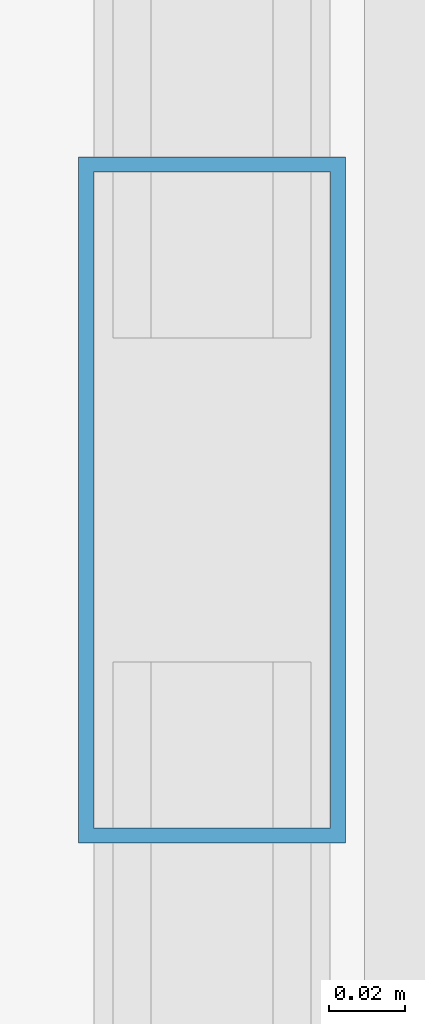
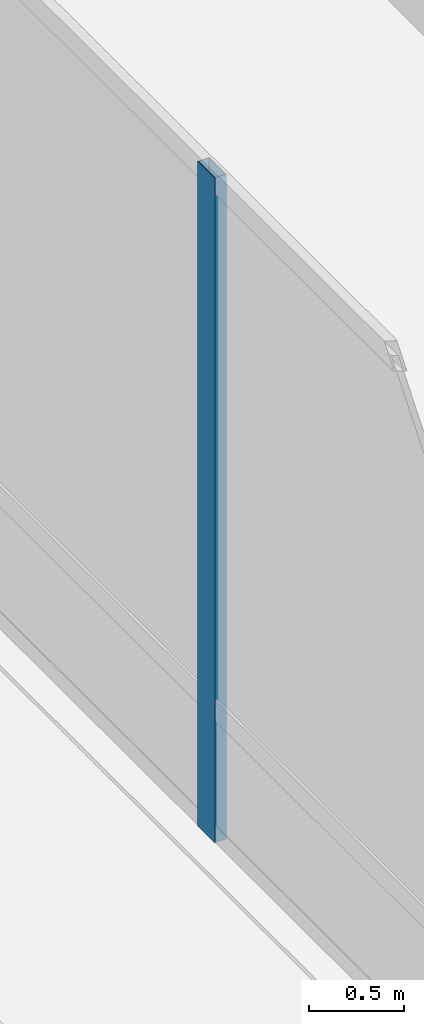
# One storey, part 7 of 28: 1 member, 1 element without a shape of its own.
"""IFC4 building model written with IfcOpenShell, lengths in metres."""

from ifc_helpers import new_model, si_unit, direction, frame, origin, origin_2d, place, context, subcontext, project, spatial, hollow_rectangle, extrude, material, material_profile, profile_set, type_object, element, aggregate, save


model = new_model("IFC4")

# Units and contexts
model_context = context("Model", 3, precision=1e-05, world=origin(), true_north=direction((0.0, 1.0)))
body_context = subcontext(model_context, "Body", "Model", "MODEL_VIEW")
ifc_project = project(units=[si_unit("LENGTHUNIT", "METRE"), si_unit("AREAUNIT", "SQUARE_METRE"), si_unit("VOLUMEUNIT", "CUBIC_METRE"), si_unit("PLANEANGLEUNIT", "RADIAN"), si_unit("MASSUNIT", "GRAM", prefix="KILO")], contexts=[model_context])

# Site, building, storey
site_placement = place(None, origin())
site = spatial("IfcSite", under=ifc_project, at=site_placement, CompositionType="ELEMENT")
building_placement = place(site_placement, origin())
building = spatial("IfcBuilding", under=site, at=building_placement, Name="Punatoya Terracotta Tower", CompositionType="ELEMENT")
storey_placement = place(building_placement, frame((0.0, 0.0, 352.800048828125)))
storey = spatial("IfcBuildingStorey", under=building, at=storey_placement, Name="L83", CompositionType="ELEMENT", Elevation=352.800048828125)

# Curtain wall, member
ifc_material_1 = material(Name="Aluminium 6063-T6 + Double Low-E Glass", Category="aluminium")
curtain_wall_type = type_object("IfcCurtainWallType", Name="CW-CRN", PredefinedType="NOTDEFINED", material=ifc_material_1)
curtain_wall_placement = place(storey_placement, origin())
curtain_wall = element("IfcCurtainWall", 1, at=curtain_wall_placement, inside=storey, type_object=curtain_wall_type, Name="L83 Curtain Wall CW-L83-W13-1", PredefinedType="NOTDEFINED")
ifc_material_2 = material(Name="Aluminium 6063-T6", Category="aluminium")
ifc_material_profile = material_profile(ifc_material_2, hollow_rectangle(XDim=0.070068359375, YDim=0.179931640625, WallThickness=0.00390625, at=origin_2d()))
ifc_profile_set = profile_set([ifc_material_profile], Name="Aluminium 6063-T6")
member_type = type_object("IfcMemberType", Name="CW-MUL-M3", PredefinedType="MULLION", material=ifc_profile_set)
member_placement = place(storey_placement, frame((-17.10009765625, 0.0, 0.0), z_axis=(0.0, 0.0, 1.0), x_axis=(1.0, 0.0, 0.0)))
member = element("IfcMember", 2, at=member_placement, type_object=member_type, Name="CW-L83-W13-1 Mullion 05", PredefinedType="MULLION", context=body_context, shape_type="SweptSolid", body=[
    extrude(hollow_rectangle(XDim=0.070068359375, YDim=0.179931640625, WallThickness=0.00390625, at=origin_2d()), origin(), (0.0, 0.0, 1.0), 4.280029296875),
])
aggregate(curtain_wall, [member])

save(model, "model.ifc")
